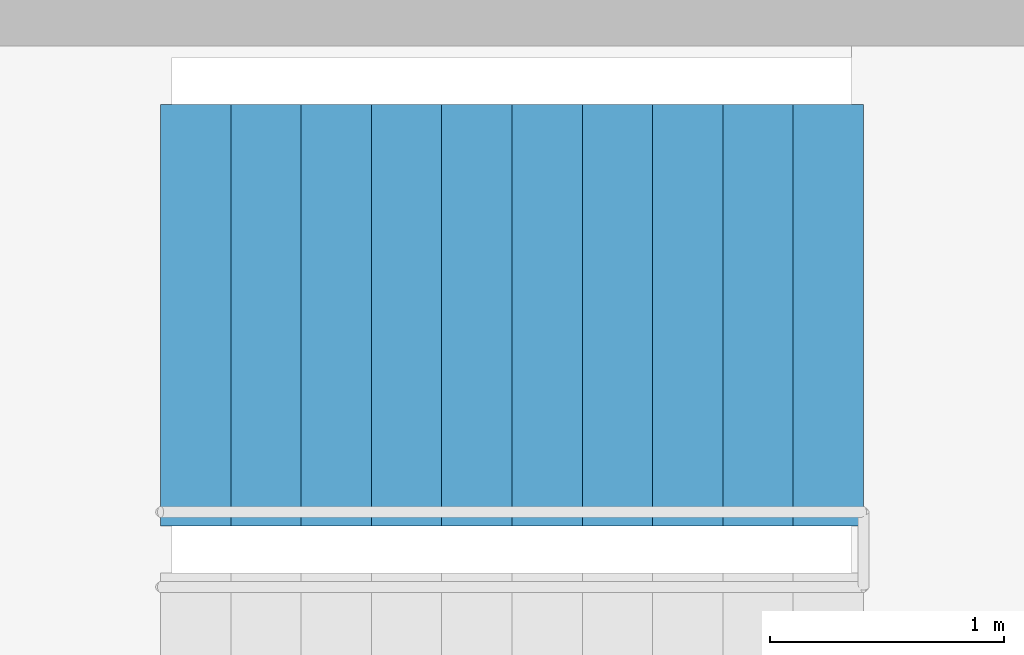
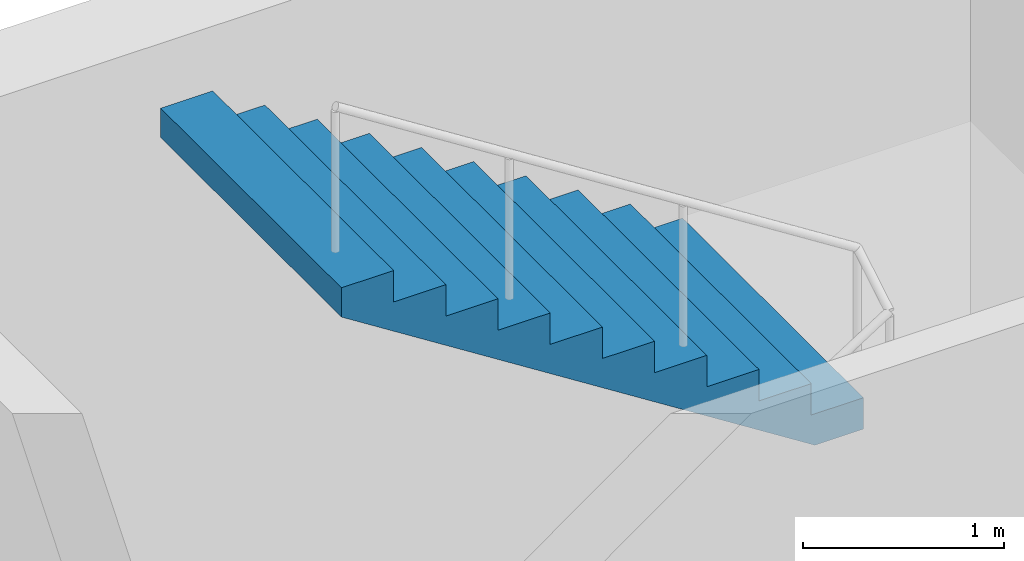
# One storey, part 11 of 12: 1 stair flight, 1 element without a shape of its own.
"""IFC4 building model written with IfcOpenShell, lengths in metres."""

from ifc_helpers import new_model, si_unit, direction, frame, origin, place, context, subcontext, project, spatial, polyline, outline, extrude, material, type_object, element, aggregate, save


model = new_model("IFC4")

# Units and contexts
model_context = context("Model", 3, precision=1e-05, world=origin(), true_north=direction((0.0, 1.0)))
body_context = subcontext(model_context, "Body", "Model", "MODEL_VIEW")
ifc_project = project(units=[si_unit("LENGTHUNIT", "METRE"), si_unit("AREAUNIT", "SQUARE_METRE"), si_unit("VOLUMEUNIT", "CUBIC_METRE"), si_unit("PLANEANGLEUNIT", "RADIAN"), si_unit("MASSUNIT", "GRAM", prefix="KILO")], contexts=[model_context])

# Site, building, storey
site_placement = place(None, origin())
site = spatial("IfcSite", under=ifc_project, at=site_placement, CompositionType="ELEMENT")
building_placement = place(site_placement, origin())
building = spatial("IfcBuilding", under=site, at=building_placement, Name="Crosswind Convention Tower", CompositionType="ELEMENT")
storey_placement = place(building_placement, frame((0.0, 0.0, 328.10009765625)))
storey = spatial("IfcBuildingStorey", under=building, at=storey_placement, Name="L71", CompositionType="ELEMENT", Elevation=328.10009765625)

# Stair, stair flight
ifc_material = material(Name="Concrete C40/50", Category="concrete")
stair_type = type_object("IfcStairType", Name="Exit stair 1800 wide, 2 flights of 11 risers", PredefinedType="HALF_TURN_STAIR", material=ifc_material)
stair_placement = place(storey_placement, origin())
stair = element("IfcStair", 1, at=stair_placement, inside=storey, type_object=stair_type, Name="Exit stair ST1 L71", ObjectType="ST5", PredefinedType="HALF_TURN_STAIR")
stair_flight_type = type_object("IfcStairFlightType", Name="Stair flight 1800 wide, 11 risers (SF4)", PredefinedType="STRAIGHT", material=ifc_material)
stair_flight_placement = place(storey_placement, frame((142.10009765625, 110.60009765625, 2.099853515625), z_axis=(0.0, 0.0, 1.0), x_axis=(-1.0, 0.0, 0.0)))
stair_flight = element("IfcStairFlight", 2, at=stair_flight_placement, type_object=stair_flight_type, Name="ST1 flight 2", NumberOfRisers=11, NumberOfTreads=10, PredefinedType="STRAIGHT", RiserHeight=0.190909091, TreadLength=0.3, context=body_context, shape_type="SweptSolid", body=[
    extrude(outline(polyline([(0.0, 0.0), (0.0, 0.19091796875), (0.300048828125, 0.19091796875), (0.300048828125, 0.3818359375), (0.60009765625, 0.3818359375), (0.60009765625, 0.57275390625), (0.89990234375, 0.57275390625), (0.89990234375, 0.763671875), (1.199951171875, 0.763671875), (1.199951171875, 0.95458984375), (1.5, 0.95458984375), (1.5, 1.1455078125), (1.800048828125, 1.1455078125), (1.800048828125, 1.33642578125), (2.10009765625, 1.33642578125), (2.10009765625, 1.52734375), (2.39990234375, 1.52734375), (2.39990234375, 1.71826171875), (2.699951171875, 1.71826171875), (2.699951171875, 1.9091796875), (3.0, 1.9091796875), (3.0, 2.10009765625), (3.0, 1.7314453125), (0.279296875, 0.0), (0.0, 0.0)])), frame((0.0, 0.89990234375, 0.0), z_axis=(0.0, -1.0, 0.0), x_axis=(1.0, 0.0, 0.0)), (0.0, 0.0, 1.0), 1.800048828125),
])
aggregate(stair, [stair_flight])

save(model, "model.ifc")
